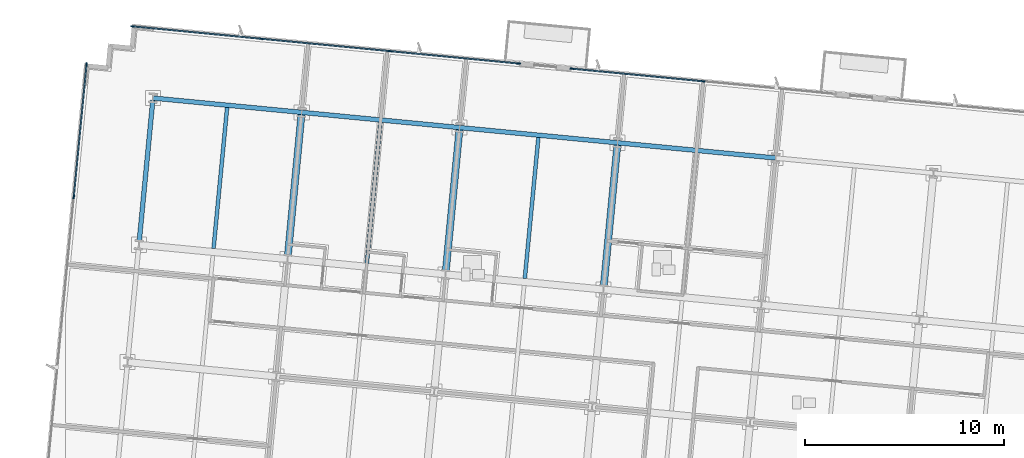
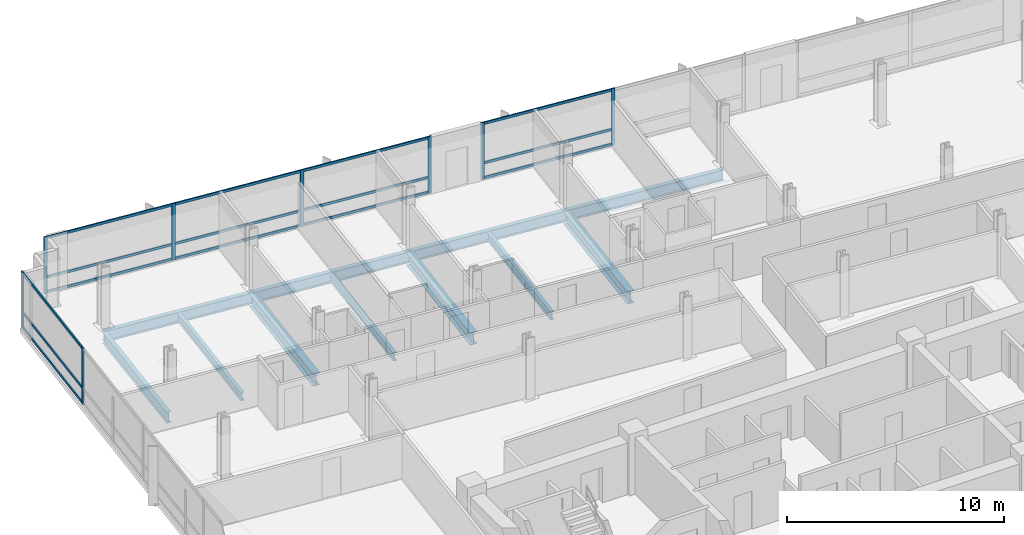
# One storey, part 7 of 17: 23 members, 11 beams, 3 elements without a shape of their own.
"""IFC4 building model written with IfcOpenShell, lengths in metres."""

from ifc_helpers import new_model, si_unit, direction, frame, origin, origin_2d, place, context, subcontext, project, spatial, rectangle, i_section, extrude, material, material_profile, profile_set, type_object, element, aggregate, save


model = new_model("IFC4")

# Units and contexts
model_context = context("Model", 3, precision=1e-05, world=origin(), true_north=direction((0.0, 1.0)))
body_context = subcontext(model_context, "Body", "Model", "MODEL_VIEW")
ifc_project = project(units=[si_unit("LENGTHUNIT", "METRE"), si_unit("AREAUNIT", "SQUARE_METRE"), si_unit("VOLUMEUNIT", "CUBIC_METRE"), si_unit("PLANEANGLEUNIT", "RADIAN"), si_unit("MASSUNIT", "GRAM", prefix="KILO")], contexts=[model_context])

# Site, building, storey
site_placement = place(None, origin())
site = spatial("IfcSite", under=ifc_project, at=site_placement, CompositionType="ELEMENT")
building_placement = place(site_placement, origin())
building = spatial("IfcBuilding", under=site, at=building_placement, Name="Solmavex Isthmus Hotel", CompositionType="ELEMENT")
storey_placement = place(building_placement, frame((0.0, 0.0, 153.14990234375)))
storey = spatial("IfcBuildingStorey", under=building, at=storey_placement, Name="L41", CompositionType="ELEMENT", Elevation=153.14990234375)

# Beams
ifc_material_1 = material(Name="Steel ASTM A992 Grade 50", Category="steel")
ifc_material_profile_1 = material_profile(ifc_material_1, i_section(OverallWidth=0.354736328125, OverallDepth=0.695556640625, WebThickness=0.015380859375, FlangeThickness=0.02490234375, FilletRadius=0.017822265625, at=origin_2d()), Name="W27X146")
ifc_profile_set_1 = profile_set([ifc_material_profile_1], Name="Steel ASTM A992 Grade 50")
beam_type_1 = type_object("IfcBeamType", Name="BM-BG-W27X146", PredefinedType="BEAM", material=ifc_profile_set_1)
beam_1_placement = place(storey_placement, frame((-15.254150390625, 13.07275390625, -0.607666015625), z_axis=(0.095839524498, 0.995396798038, 0.0), x_axis=(-0.995396798038, 0.095839524498, 0.0)))
element("IfcBeam", 1, at=beam_1_placement, inside=storey, type_object=beam_type_1, Name="Floor Beam L41-VG26", PredefinedType="BEAM", context=body_context, shape_type="SweptSolid", body=[
    extrude(i_section(OverallWidth=0.354736328125, OverallDepth=0.695556640625, WebThickness=0.015380859375, FlangeThickness=0.02490234375, FilletRadius=0.017822265625, at=origin_2d()), origin(), (0.0, 0.0, 1.0), 7.099609375),
])
beam_2_placement = place(storey_placement, frame((-7.3349609375, 12.310302734375, -0.607666015625), z_axis=(0.09587687835, 0.9953932008, 0.0), x_axis=(-0.9953932008, 0.09587687835, 0.0)))
element("IfcBeam", 2, at=beam_2_placement, inside=storey, type_object=beam_type_1, Name="Floor Beam L41-VG29", PredefinedType="BEAM", context=body_context, shape_type="SweptSolid", body=[
    extrude(i_section(OverallWidth=0.354736328125, OverallDepth=0.695556640625, WebThickness=0.015380859375, FlangeThickness=0.02490234375, FilletRadius=0.017822265625, at=origin_2d()), origin(), (0.0, 0.0, 1.0), 7.099365234375),
])
beam_3_placement = place(storey_placement, frame((0.58447265625, 11.547607421875, -0.607666015625), z_axis=(0.095839524498, 0.995396798038, 0.0), x_axis=(-0.995396798038, 0.095839524498, 0.0)))
element("IfcBeam", 3, at=beam_3_placement, inside=storey, type_object=beam_type_1, Name="Floor Beam L41-VG32", PredefinedType="BEAM", context=body_context, shape_type="SweptSolid", body=[
    extrude(i_section(OverallWidth=0.354736328125, OverallDepth=0.695556640625, WebThickness=0.015380859375, FlangeThickness=0.02490234375, FilletRadius=0.017822265625, at=origin_2d()), origin(), (0.0, 0.0, 1.0), 7.099609375),
])
ifc_material_profile_2 = material_profile(ifc_material_1, i_section(OverallWidth=0.1904296875, OverallDepth=0.456787109375, WebThickness=0.009033203125, FlangeThickness=0.014404296875, FilletRadius=0.0126953125, at=origin_2d()), Name="W18X50")
ifc_profile_set_2 = profile_set([ifc_material_profile_2], Name="Steel ASTM A992 Grade 50")
beam_type_2 = type_object("IfcBeamType", Name="BM-BJ-W18X50", PredefinedType="JOIST", material=ifc_profile_set_2)
for number, where, z_axis, x_axis, name in (
    (4, (-18.98095703125, 13.431640625, -0.48828125), (0.095842805175, 0.99539648216, 0.0), (-0.99539648216, 0.095842805175, 0.0), "Secondary Floor Joist L41-J03"),
    (5, (-11.29443359375, 12.691650390625, -0.48828125), (0.095842805175, 0.99539648216, 0.0), (-0.99539648216, 0.095842805175, 0.0), "Secondary Floor Joist L41-J06"),
    (6, (-3.375244140625, 11.928955078125, -0.48828125), (0.09587687835, 0.9953932008, 0.0), (-0.9953932008, 0.09587687835, 0.0), "Secondary Floor Joist L41-J09"),
):
    element("IfcBeam", number, at=place(storey_placement, frame(where, z_axis=z_axis, x_axis=x_axis)), inside=storey, type_object=beam_type_2, Name=name, PredefinedType="JOIST", context=body_context, shape_type="SweptSolid", body=[
        extrude(i_section(OverallWidth=0.1904296875, OverallDepth=0.456787109375, WebThickness=0.009033203125, FlangeThickness=0.014404296875, FilletRadius=0.0126953125, at=origin_2d()), origin(), (0.0, 0.0, 1.0), 7.099365234375),
    ])
ifc_material_profile_3 = material_profile(ifc_material_1, i_section(OverallWidth=0.230224609375, OverallDepth=0.617431640625, WebThickness=0.01318359375, FlangeThickness=0.022216796875, FilletRadius=0.01513671875, at=origin_2d()), Name="W24X94")
ifc_profile_set_3 = profile_set([ifc_material_profile_3], Name="Steel ASTM A992 Grade 50")
beam_type_3 = type_object("IfcBeamType", Name="BM-SP-W24X94", PredefinedType="SPANDREL", material=ifc_profile_set_3)
beam_4_placement = place(storey_placement, frame((-22.016357421875, 20.971923828125, -0.568603515625), z_axis=(0.995395279593, -0.095855293875, 0.0), x_axis=(0.095855293875, 0.995395279593, 0.0)))
element("IfcBeam", 7, at=beam_4_placement, inside=storey, type_object=beam_type_3, Name="Floor Girder L41-UG15", PredefinedType="SPANDREL", context=body_context, shape_type="SweptSolid", body=[
    extrude(i_section(OverallWidth=0.230224609375, OverallDepth=0.617431640625, WebThickness=0.01318359375, FlangeThickness=0.022216796875, FilletRadius=0.01513671875, at=origin_2d()), origin(), (0.0, 0.0, 1.0), 7.488037109375),
])
for number, where, z_axis, x_axis, name in (
    (8, (-14.562744140625, 20.254150390625, -0.568603515625), (0.995397440011, -0.095832856685, 0.0), (0.095832856685, 0.995397440011, 0.0), "Floor Girder L41-UG16"),
    (9, (-6.643310546875, 19.49169921875, -0.568603515625), (0.995394512348, -0.095863260885, 0.0), (0.095863260885, 0.995394512348, 0.0), "Floor Girder L41-UG17"),
):
    element("IfcBeam", number, at=place(storey_placement, frame(where, z_axis=z_axis, x_axis=x_axis)), inside=storey, type_object=beam_type_3, Name=name, PredefinedType="SPANDREL", context=body_context, shape_type="SweptSolid", body=[
        extrude(i_section(OverallWidth=0.230224609375, OverallDepth=0.617431640625, WebThickness=0.01318359375, FlangeThickness=0.022216796875, FilletRadius=0.01513671875, at=origin_2d()), origin(), (0.0, 0.0, 1.0), 7.9560546875),
    ])
beam_5_placement = place(storey_placement, frame((1.276123046875, 18.72900390625, -0.568603515625), z_axis=(0.995397158178, -0.095835783981, 0.0), x_axis=(0.095835783981, 0.995397158178, 0.0)))
element("IfcBeam", 10, at=beam_5_placement, inside=storey, type_object=beam_type_3, Name="Floor Girder L41-UG18", PredefinedType="SPANDREL", context=body_context, shape_type="SweptSolid", body=[
    extrude(i_section(OverallWidth=0.230224609375, OverallDepth=0.617431640625, WebThickness=0.01318359375, FlangeThickness=0.022216796875, FilletRadius=0.01513671875, at=origin_2d()), origin(), (0.0, 0.0, 1.0), 7.955810546875),
])
beam_6_placement = place(storey_placement, frame((-22.707763671875, 13.79052734375, -0.568603515625), z_axis=(0.095842805175, 0.99539648216, 0.0), x_axis=(-0.99539648216, 0.095842805175, 0.0)))
element("IfcBeam", 11, at=beam_6_placement, inside=storey, type_object=beam_type_3, Name="Floor Beam L41-VG23", PredefinedType="SPANDREL", context=body_context, shape_type="SweptSolid", body=[
    extrude(i_section(OverallWidth=0.230224609375, OverallDepth=0.617431640625, WebThickness=0.01318359375, FlangeThickness=0.022216796875, FilletRadius=0.01513671875, at=origin_2d()), origin(), (0.0, 0.0, 1.0), 7.099365234375),
])

# Curtain wall, members
ifc_material_2 = material(Name="Aluminium alloy 6063-T6", Category="aluminium")
curtain_wall_type = type_object("IfcCurtainWallType", Name="CW-SYS-03", PredefinedType="NOTDEFINED", material=ifc_material_2)
curtain_wall_1_placement = place(storey_placement, origin())
curtain_wall_1 = element("IfcCurtainWall", 12, at=curtain_wall_1_placement, inside=storey, type_object=curtain_wall_type, Name="Stick Curtain Wall CWL-L41-N1", PredefinedType="NOTDEFINED")
ifc_material_profile_4 = material_profile(ifc_material_2, rectangle(XDim=0.070068359375, YDim=0.179931640625, at=origin_2d()), Name="CWM-70X180")
ifc_profile_set_4 = profile_set([ifc_material_profile_4], Name="Aluminium alloy 6063-T6")
member_type_1 = type_object("IfcMemberType", Name="CW-SYS-03-MUL", PredefinedType="MULLION", material=ifc_profile_set_4)
member_1_placement = place(storey_placement, frame((-23.04150390625, 24.566650390625, 0.0), z_axis=(0.0, 0.0, 1.0), x_axis=(0.095845686434, 0.995396204731, 0.0)))
member_1 = element("IfcMember", 13, at=member_1_placement, type_object=member_type_1, Name="CW-03 mullion 1", PredefinedType="MULLION", context=body_context, shape_type="SweptSolid", body=[
    extrude(rectangle(XDim=0.070068359375, YDim=0.179931640625, at=origin_2d()), origin(), (0.0, 0.0, 1.0), 3.190185546875),
])
member_2_placement = place(storey_placement, frame((-16.598876953125, 23.9462890625, 0.0), z_axis=(0.0, 0.0, 1.0), x_axis=(0.095845686434, 0.995396204731, 0.0)))
member_2 = element("IfcMember", 14, at=member_2_placement, type_object=member_type_1, Name="CW-03 mullion 2", PredefinedType="MULLION", context=body_context, shape_type="SweptSolid", body=[
    extrude(rectangle(XDim=0.070068359375, YDim=0.179931640625, at=origin_2d()), origin(), (0.0, 0.0, 1.0), 3.190185546875),
])
member_3_placement = place(storey_placement, frame((-10.12158203125, 23.32275390625, 0.0), z_axis=(0.0, 0.0, 1.0), x_axis=(0.095845686434, 0.995396204731, 0.0)))
member_3 = element("IfcMember", 15, at=member_3_placement, type_object=member_type_1, Name="CW-03 mullion 3", PredefinedType="MULLION", context=body_context, shape_type="SweptSolid", body=[
    extrude(rectangle(XDim=0.070068359375, YDim=0.179931640625, at=origin_2d()), origin(), (0.0, 0.0, 1.0), 3.190185546875),
])
member_4_placement = place(storey_placement, frame((-3.678955078125, 22.702392578125, 0.0), z_axis=(0.0, 0.0, 1.0), x_axis=(0.095845686434, 0.995396204731, 0.0)))
member_4 = element("IfcMember", 16, at=member_4_placement, type_object=member_type_1, Name="CW-03 mullion 4", PredefinedType="MULLION", context=body_context, shape_type="SweptSolid", body=[
    extrude(rectangle(XDim=0.070068359375, YDim=0.179931640625, at=origin_2d()), origin(), (0.0, 0.0, 1.0), 3.190185546875),
])

curtain_wall_2_placement = place(storey_placement, origin())
curtain_wall_2 = element("IfcCurtainWall", 17, at=curtain_wall_2_placement, inside=storey, type_object=curtain_wall_type, Name="Stick Curtain Wall CWL-L41-N2", PredefinedType="NOTDEFINED")
member_5_placement = place(storey_placement, frame((-1.021240234375, 22.4462890625, 0.0), z_axis=(0.0, 0.0, 1.0), x_axis=(0.095845138178, 0.995396257521, 0.0)))
member_5 = element("IfcMember", 18, at=member_5_placement, type_object=member_type_1, Name="CW-03 mullion 1", PredefinedType="MULLION", context=body_context, shape_type="SweptSolid", body=[
    extrude(rectangle(XDim=0.070068359375, YDim=0.179931640625, at=origin_2d()), origin(), (0.0, 0.0, 1.0), 3.190185546875),
])
member_6_placement = place(storey_placement, frame((5.5693359375, 21.811767578125, 0.0), z_axis=(0.0, 0.0, 1.0), x_axis=(0.095845138178, 0.995396257521, 0.0)))
member_6 = element("IfcMember", 19, at=member_6_placement, type_object=member_type_1, Name="CW-03 mullion 2", PredefinedType="MULLION", context=body_context, shape_type="SweptSolid", body=[
    extrude(rectangle(XDim=0.070068359375, YDim=0.179931640625, at=origin_2d()), origin(), (0.0, 0.0, 1.0), 3.190185546875),
])

curtain_wall_3_placement = place(storey_placement, origin())
curtain_wall_3 = element("IfcCurtainWall", 20, at=curtain_wall_3_placement, inside=storey, type_object=curtain_wall_type, Name="Stick Curtain Wall CWL-L41-W1", PredefinedType="NOTDEFINED")
member_7_placement = place(storey_placement, frame((-25.990234375, 16.010009765625, 0.0), z_axis=(0.0, 0.0, 1.0), x_axis=(-0.995396190038, 0.09584583902, 0.0)))
member_7 = element("IfcMember", 21, at=member_7_placement, type_object=member_type_1, Name="CW-03 mullion 5", PredefinedType="MULLION", context=body_context, shape_type="SweptSolid", body=[
    extrude(rectangle(XDim=0.070068359375, YDim=0.179931640625, at=origin_2d()), origin(), (0.0, 0.0, 1.0), 3.190185546875),
])
member_8_placement = place(storey_placement, frame((-25.349365234375, 22.6640625, 0.0), z_axis=(0.0, 0.0, 1.0), x_axis=(-0.995396190038, 0.09584583902, 0.0)))
member_8 = element("IfcMember", 22, at=member_8_placement, type_object=member_type_1, Name="CW-03 mullion 6", PredefinedType="MULLION", context=body_context, shape_type="SweptSolid", body=[
    extrude(rectangle(XDim=0.070068359375, YDim=0.179931640625, at=origin_2d()), origin(), (0.0, 0.0, 1.0), 3.190185546875),
])

# Member
ifc_material_profile_5 = material_profile(ifc_material_2, rectangle(XDim=0.070068359375, YDim=0.139892578125, at=origin_2d()), Name="CWT-70X140")
ifc_profile_set_5 = profile_set([ifc_material_profile_5], Name="Aluminium alloy 6063-T6")
member_type_2 = type_object("IfcMemberType", Name="CW-SYS-03-TRN", PredefinedType="USERDEFINED", material=ifc_profile_set_5)
member_9_placement = place(storey_placement, frame((-23.006591796875, 24.563232421875, 0.070068359375), z_axis=(0.995397773623, -0.095829391454, 0.0), x_axis=(0.095829391454, 0.995397773623, 0.0)))
member_9 = element("IfcMember", 23, at=member_9_placement, type_object=member_type_2, Name="CW-03 transom 1.1", ObjectType="TRANSOM", PredefinedType="USERDEFINED", context=body_context, shape_type="SweptSolid", body=[
    extrude(rectangle(XDim=0.070068359375, YDim=0.139892578125, at=origin_2d()), origin(), (0.0, 0.0, 1.0), 6.40234375),
])

member_10_placement = place(storey_placement, frame((-23.006591796875, 24.563232421875, 0.900146484375), z_axis=(0.995397773623, -0.095829391454, 0.0), x_axis=(0.095829391454, 0.995397773623, 0.0)))
member_10 = element("IfcMember", 24, at=member_10_placement, type_object=member_type_2, Name="CW-03 transom 1.2", ObjectType="TRANSOM", PredefinedType="USERDEFINED", context=body_context, shape_type="SweptSolid", body=[
    extrude(rectangle(XDim=0.070068359375, YDim=0.139892578125, at=origin_2d()), origin(), (0.0, 0.0, 1.0), 6.40234375),
])

member_11_placement = place(storey_placement, frame((-23.006591796875, 24.563232421875, 3.1201171875), z_axis=(0.995397773623, -0.095829391454, 0.0), x_axis=(0.095829391454, 0.995397773623, 0.0)))
member_11 = element("IfcMember", 25, at=member_11_placement, type_object=member_type_2, Name="CW-03 transom 1.3", ObjectType="TRANSOM", PredefinedType="USERDEFINED", context=body_context, shape_type="SweptSolid", body=[
    extrude(rectangle(XDim=0.070068359375, YDim=0.139892578125, at=origin_2d()), origin(), (0.0, 0.0, 1.0), 6.40234375),
])

member_12_placement = place(storey_placement, frame((-16.56396484375, 23.943115234375, 0.070068359375), z_axis=(0.995393311839, -0.095875725533, 0.0), x_axis=(0.095875725533, 0.995393311839, 0.0)))
member_12 = element("IfcMember", 26, at=member_12_placement, type_object=member_type_2, Name="CW-03 transom 2.1", ObjectType="TRANSOM", PredefinedType="USERDEFINED", context=body_context, shape_type="SweptSolid", body=[
    extrude(rectangle(XDim=0.070068359375, YDim=0.139892578125, at=origin_2d()), origin(), (0.0, 0.0, 1.0), 6.437255859375),
])

member_13_placement = place(storey_placement, frame((-16.56396484375, 23.943115234375, 0.900146484375), z_axis=(0.995393311839, -0.095875725533, 0.0), x_axis=(0.095875725533, 0.995393311839, 0.0)))
member_13 = element("IfcMember", 27, at=member_13_placement, type_object=member_type_2, Name="CW-03 transom 2.2", ObjectType="TRANSOM", PredefinedType="USERDEFINED", context=body_context, shape_type="SweptSolid", body=[
    extrude(rectangle(XDim=0.070068359375, YDim=0.139892578125, at=origin_2d()), origin(), (0.0, 0.0, 1.0), 6.437255859375),
])

member_14_placement = place(storey_placement, frame((-16.56396484375, 23.943115234375, 3.1201171875), z_axis=(0.995393311839, -0.095875725533, 0.0), x_axis=(0.095875725533, 0.995393311839, 0.0)))
member_14 = element("IfcMember", 28, at=member_14_placement, type_object=member_type_2, Name="CW-03 transom 2.3", ObjectType="TRANSOM", PredefinedType="USERDEFINED", context=body_context, shape_type="SweptSolid", body=[
    extrude(rectangle(XDim=0.070068359375, YDim=0.139892578125, at=origin_2d()), origin(), (0.0, 0.0, 1.0), 6.437255859375),
])

member_15_placement = place(storey_placement, frame((-10.086669921875, 23.3193359375, 0.070068359375), z_axis=(0.995394135431, -0.095867174519, 0.0), x_axis=(0.095867174519, 0.995394135431, 0.0)))
member_15 = element("IfcMember", 29, at=member_15_placement, type_object=member_type_2, Name="CW-03 transom 3.1", ObjectType="TRANSOM", PredefinedType="USERDEFINED", context=body_context, shape_type="SweptSolid", body=[
    extrude(rectangle(XDim=0.070068359375, YDim=0.139892578125, at=origin_2d()), origin(), (0.0, 0.0, 1.0), 6.40234375),
])

member_16_placement = place(storey_placement, frame((-10.086669921875, 23.3193359375, 0.900146484375), z_axis=(0.995394135431, -0.095867174519, 0.0), x_axis=(0.095867174519, 0.995394135431, 0.0)))
member_16 = element("IfcMember", 30, at=member_16_placement, type_object=member_type_2, Name="CW-03 transom 3.2", ObjectType="TRANSOM", PredefinedType="USERDEFINED", context=body_context, shape_type="SweptSolid", body=[
    extrude(rectangle(XDim=0.070068359375, YDim=0.139892578125, at=origin_2d()), origin(), (0.0, 0.0, 1.0), 6.40234375),
])

member_17_placement = place(storey_placement, frame((-10.086669921875, 23.3193359375, 3.1201171875), z_axis=(0.995394135431, -0.095867174519, 0.0), x_axis=(0.095867174519, 0.995394135431, 0.0)))
member_17 = element("IfcMember", 31, at=member_17_placement, type_object=member_type_2, Name="CW-03 transom 3.3", ObjectType="TRANSOM", PredefinedType="USERDEFINED", context=body_context, shape_type="SweptSolid", body=[
    extrude(rectangle(XDim=0.070068359375, YDim=0.139892578125, at=origin_2d()), origin(), (0.0, 0.0, 1.0), 6.40234375),
])

aggregate(curtain_wall_1, [member_1, member_2, member_3, member_4, member_9, member_10, member_11, member_12, member_13, member_14, member_15, member_16, member_17])

member_18_placement = place(storey_placement, frame((-0.986328125, 22.443115234375, 0.070068359375), z_axis=(0.995395431006, -0.095853721538, 0.0), x_axis=(0.095853721538, 0.995395431006, 0.0)))
member_18 = element("IfcMember", 32, at=member_18_placement, type_object=member_type_2, Name="CW-03 transom 1.1", ObjectType="TRANSOM", PredefinedType="USERDEFINED", context=body_context, shape_type="SweptSolid", body=[
    extrude(rectangle(XDim=0.070068359375, YDim=0.139892578125, at=origin_2d()), origin(), (0.0, 0.0, 1.0), 6.551025390625),
])

member_19_placement = place(storey_placement, frame((-0.986328125, 22.443115234375, 0.900146484375), z_axis=(0.995395431006, -0.095853721538, 0.0), x_axis=(0.095853721538, 0.995395431006, 0.0)))
member_19 = element("IfcMember", 33, at=member_19_placement, type_object=member_type_2, Name="CW-03 transom 1.2", ObjectType="TRANSOM", PredefinedType="USERDEFINED", context=body_context, shape_type="SweptSolid", body=[
    extrude(rectangle(XDim=0.070068359375, YDim=0.139892578125, at=origin_2d()), origin(), (0.0, 0.0, 1.0), 6.551025390625),
])

member_20_placement = place(storey_placement, frame((-0.986328125, 22.443115234375, 3.1201171875), z_axis=(0.995395431006, -0.095853721538, 0.0), x_axis=(0.095853721538, 0.995395431006, 0.0)))
member_20 = element("IfcMember", 34, at=member_20_placement, type_object=member_type_2, Name="CW-03 transom 1.3", ObjectType="TRANSOM", PredefinedType="USERDEFINED", context=body_context, shape_type="SweptSolid", body=[
    extrude(rectangle(XDim=0.070068359375, YDim=0.139892578125, at=origin_2d()), origin(), (0.0, 0.0, 1.0), 6.551025390625),
])

aggregate(curtain_wall_2, [member_5, member_6, member_18, member_19, member_20])

member_21_placement = place(storey_placement, frame((-25.98681640625, 16.044677734375, 0.070068359375), z_axis=(0.095845316679, 0.995396240334, 0.0), x_axis=(-0.995396240334, 0.095845316679, 0.0)))
member_21 = element("IfcMember", 35, at=member_21_placement, type_object=member_type_2, Name="CW-03 transom 5.1", ObjectType="TRANSOM", PredefinedType="USERDEFINED", context=body_context, shape_type="SweptSolid", body=[
    extrude(rectangle(XDim=0.070068359375, YDim=0.139892578125, at=origin_2d()), origin(), (0.0, 0.0, 1.0), 6.615234375),
])

member_22_placement = place(storey_placement, frame((-25.98681640625, 16.044677734375, 0.900146484375), z_axis=(0.095845316679, 0.995396240334, 0.0), x_axis=(-0.995396240334, 0.095845316679, 0.0)))
member_22 = element("IfcMember", 36, at=member_22_placement, type_object=member_type_2, Name="CW-03 transom 5.2", ObjectType="TRANSOM", PredefinedType="USERDEFINED", context=body_context, shape_type="SweptSolid", body=[
    extrude(rectangle(XDim=0.070068359375, YDim=0.139892578125, at=origin_2d()), origin(), (0.0, 0.0, 1.0), 6.615234375),
])

member_23_placement = place(storey_placement, frame((-25.98681640625, 16.044677734375, 3.1201171875), z_axis=(0.095845316679, 0.995396240334, 0.0), x_axis=(-0.995396240334, 0.095845316679, 0.0)))
member_23 = element("IfcMember", 37, at=member_23_placement, type_object=member_type_2, Name="CW-03 transom 5.3", ObjectType="TRANSOM", PredefinedType="USERDEFINED", context=body_context, shape_type="SweptSolid", body=[
    extrude(rectangle(XDim=0.070068359375, YDim=0.139892578125, at=origin_2d()), origin(), (0.0, 0.0, 1.0), 6.615234375),
])

aggregate(curtain_wall_3, [member_7, member_8, member_21, member_22, member_23])

save(model, "model.ifc")
